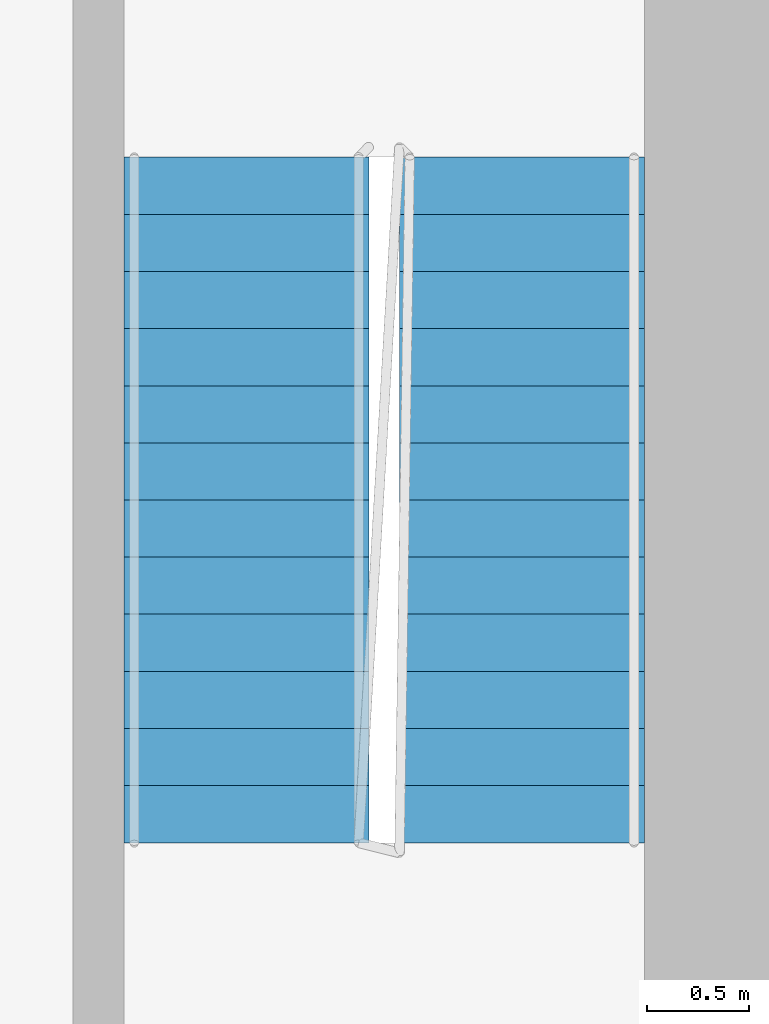
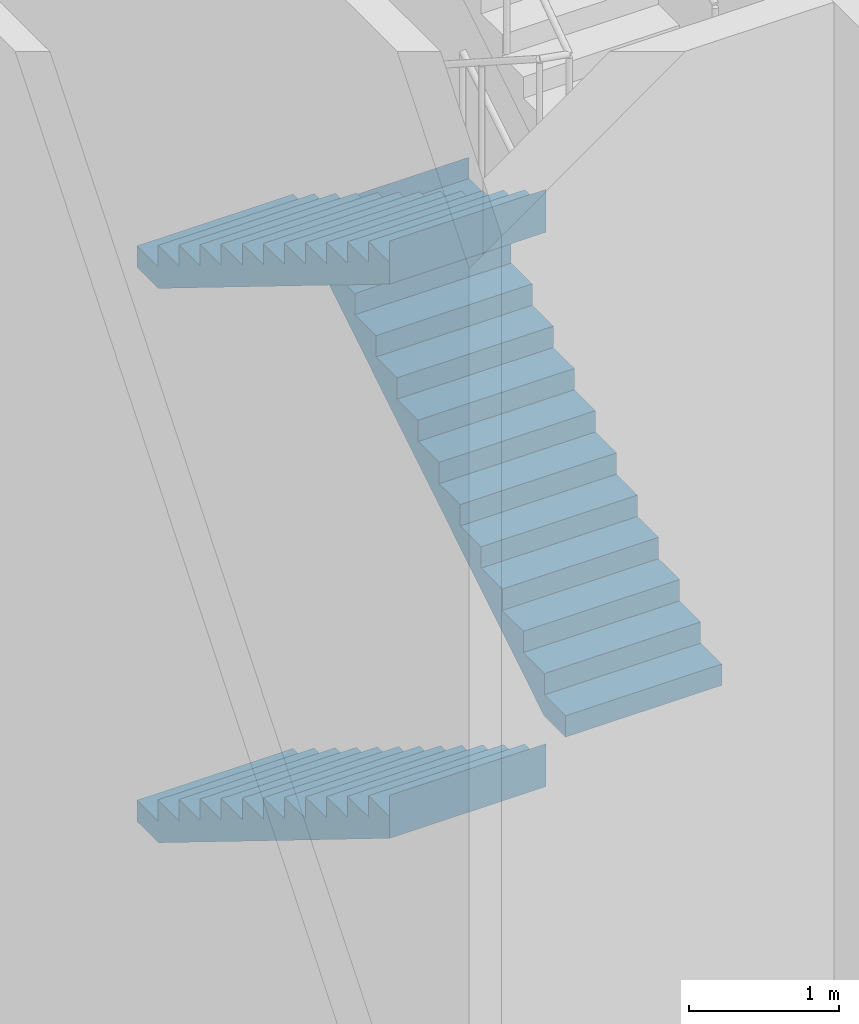
# One storey, part 12 of 24: 3 stair flights, 1 element without a shape of its own.
"""IFC4 building model written with IfcOpenShell, lengths in metres."""

from ifc_helpers import new_model, si_unit, direction, frame, origin, place, context, subcontext, project, spatial, faceted_brep, material, type_object, element, aggregate, save


model = new_model("IFC4")

# Units and contexts
model_context = context("Model", 3, precision=1e-05, world=origin(), true_north=direction((0.0, 1.0)))
body_context = subcontext(model_context, "Body", "Model", "MODEL_VIEW")
ifc_project = project(units=[si_unit("LENGTHUNIT", "METRE"), si_unit("AREAUNIT", "SQUARE_METRE"), si_unit("VOLUMEUNIT", "CUBIC_METRE"), si_unit("PLANEANGLEUNIT", "RADIAN"), si_unit("MASSUNIT", "GRAM", prefix="KILO")], contexts=[model_context])

# Site, building, storey
site_placement = place(None, origin())
site = spatial("IfcSite", under=ifc_project, at=site_placement, CompositionType="ELEMENT")
building_placement = place(site_placement, origin())
building = spatial("IfcBuilding", under=site, at=building_placement, Name="Kajstack Hotel Tower", CompositionType="ELEMENT")
storey_placement = place(building_placement, frame((0.0, 0.0, 38.0)))
storey = spatial("IfcBuildingStorey", under=building, at=storey_placement, Name="L06", CompositionType="ELEMENT", Elevation=38.0)

# Stair, stair flights
ifc_material = material(Name="Concrete C40/50", Category="concrete")
stair_type = type_object("IfcStairType", Name="Exit stair 1200", PredefinedType="HALF_TURN_STAIR", material=ifc_material)
stair_placement = place(storey_placement, origin())
stair = element("IfcStair", 1, at=stair_placement, inside=storey, type_object=stair_type, Name="L06 stair W1", PredefinedType="HALF_TURN_STAIR")
stair_flight_type = type_object("IfcStairFlightType", Name="Exit stair flight 1200", PredefinedType="STRAIGHT", material=ifc_material)
stair_flight_1_placement = place(storey_placement, frame((-33.449951171875, -5.25, 0.0), z_axis=(0.0, 0.0, 1.0), x_axis=(0.0, -1.0, 0.0)))
stair_flight_1 = element("IfcStairFlight", 2, at=stair_flight_1_placement, type_object=stair_flight_type, Name="W1 flight 1", NumberOfRisers=13, NumberOfTreads=12, PredefinedType="STRAIGHT", RiserHeight=0.173076923, TreadLength=0.28, context=body_context, shape_type="Brep", body=[
    faceted_brep([(0.28564453125, -0.60009765625, 0.0), (3.360595703125, -0.60009765625, 1.900634765625), (3.360595703125, -0.60009765625, 2.25), (3.360107421875, -0.60009765625, 2.25), (3.360107421875, -0.60009765625, 2.076904296875), (3.080078125, -0.60009765625, 2.076904296875), (3.080078125, -0.60009765625, 1.90380859375), (2.800048828125, -0.60009765625, 1.90380859375), (2.800048828125, -0.60009765625, 1.730712890625), (2.52001953125, -0.60009765625, 1.730712890625), (2.52001953125, -0.60009765625, 1.5576171875), (2.239990234375, -0.60009765625, 1.5576171875), (2.239990234375, -0.60009765625, 1.384521484375), (1.9599609375, -0.60009765625, 1.384521484375), (1.9599609375, -0.60009765625, 1.21142578125), (1.679931640625, -0.60009765625, 1.21142578125), (1.679931640625, -0.60009765625, 1.03857421875), (1.39990234375, -0.60009765625, 1.03857421875), (1.39990234375, -0.60009765625, 0.865478515625), (1.1201171875, -0.60009765625, 0.865478515625), (1.1201171875, -0.60009765625, 0.6923828125), (0.840087890625, -0.60009765625, 0.6923828125), (0.840087890625, -0.60009765625, 0.519287109375), (0.56005859375, -0.60009765625, 0.519287109375), (0.56005859375, -0.60009765625, 0.34619140625), (0.280029296875, -0.60009765625, 0.34619140625), (0.280029296875, -0.60009765625, 0.173095703125), (-0.00048828125, -0.60009765625, 0.173095703125), (-0.00048828125, -0.60009765625, 0.0), (-0.00048828125, 0.60009765625, 0.0), (-0.00048828125, 0.60009765625, 0.173095703125), (0.280029296875, 0.60009765625, 0.173095703125), (0.280029296875, 0.60009765625, 0.34619140625), (0.56005859375, 0.60009765625, 0.34619140625), (0.56005859375, 0.60009765625, 0.519287109375), (0.840087890625, 0.60009765625, 0.519287109375), (0.840087890625, 0.60009765625, 0.6923828125), (1.1201171875, 0.60009765625, 0.6923828125), (1.1201171875, 0.60009765625, 0.865478515625), (1.39990234375, 0.60009765625, 0.865478515625), (1.39990234375, 0.60009765625, 1.03857421875), (1.679931640625, 0.60009765625, 1.03857421875), (1.679931640625, 0.60009765625, 1.21142578125), (1.9599609375, 0.60009765625, 1.21142578125), (1.9599609375, 0.60009765625, 1.384521484375), (2.239990234375, 0.60009765625, 1.384521484375), (2.239990234375, 0.60009765625, 1.5576171875), (2.52001953125, 0.60009765625, 1.5576171875), (2.52001953125, 0.60009765625, 1.730712890625), (2.800048828125, 0.60009765625, 1.730712890625), (2.800048828125, 0.60009765625, 1.90380859375), (3.080078125, 0.60009765625, 1.90380859375), (3.080078125, 0.60009765625, 2.076904296875), (3.360107421875, 0.60009765625, 2.076904296875), (3.360107421875, 0.60009765625, 2.25), (3.360595703125, 0.60009765625, 2.25), (3.360595703125, 0.60009765625, 1.900634765625), (0.28564453125, 0.60009765625, 0.0), (-0.00048828125, -0.300048828125, 0.173095703125), (-0.00048828125, 0.0, 0.173095703125), (-0.00048828125, 0.300048828125, 0.173095703125), (-0.00048828125, 0.300048828125, 0.0), (-0.00048828125, 0.0, 0.0), (-0.00048828125, -0.300048828125, 0.0), (0.280029296875, -0.300048828125, 0.173095703125), (0.280029296875, 0.0, 0.173095703125), (0.280029296875, 0.300048828125, 0.173095703125), (0.280029296875, -0.300048828125, 0.34619140625), (0.280029296875, 0.0, 0.34619140625), (0.280029296875, 0.300048828125, 0.34619140625), (0.56005859375, -0.300048828125, 0.34619140625), (0.56005859375, 0.0, 0.34619140625), (0.56005859375, 0.300048828125, 0.34619140625), (0.56005859375, -0.300048828125, 0.519287109375), (0.56005859375, 0.0, 0.519287109375), (0.56005859375, 0.300048828125, 0.519287109375), (0.840087890625, -0.300048828125, 0.519287109375), (0.840087890625, 0.0, 0.519287109375), (0.840087890625, 0.300048828125, 0.519287109375), (0.840087890625, -0.300048828125, 0.6923828125), (0.840087890625, 0.0, 0.6923828125), (0.840087890625, 0.300048828125, 0.6923828125), (1.1201171875, -0.300048828125, 0.6923828125), (1.1201171875, 0.0, 0.6923828125), (1.1201171875, 0.300048828125, 0.6923828125), (1.1201171875, -0.300048828125, 0.865478515625), (1.1201171875, 0.0, 0.865478515625), (1.1201171875, 0.300048828125, 0.865478515625), (1.39990234375, -0.300048828125, 0.865478515625), (1.39990234375, 0.0, 0.865478515625), (1.39990234375, 0.300048828125, 0.865478515625), (1.39990234375, -0.300048828125, 1.03857421875), (1.39990234375, 0.0, 1.03857421875), (1.39990234375, 0.300048828125, 1.03857421875), (1.679931640625, -0.300048828125, 1.03857421875), (1.679931640625, 0.0, 1.03857421875), (1.679931640625, 0.300048828125, 1.03857421875), (1.679931640625, -0.300048828125, 1.21142578125), (1.679931640625, 0.0, 1.21142578125), (1.679931640625, 0.300048828125, 1.21142578125), (1.9599609375, -0.300048828125, 1.21142578125), (1.9599609375, 0.0, 1.21142578125), (1.9599609375, 0.300048828125, 1.21142578125), (1.9599609375, -0.300048828125, 1.384521484375), (1.9599609375, 0.0, 1.384521484375), (1.9599609375, 0.300048828125, 1.384521484375), (2.239990234375, -0.300048828125, 1.384521484375), (2.239990234375, 0.0, 1.384521484375), (2.239990234375, 0.300048828125, 1.384521484375), (2.239990234375, -0.300048828125, 1.5576171875), (2.239990234375, 0.0, 1.5576171875), (2.239990234375, 0.300048828125, 1.5576171875), (2.52001953125, -0.300048828125, 1.5576171875), (2.52001953125, 0.0, 1.5576171875), (2.52001953125, 0.300048828125, 1.5576171875), (2.52001953125, -0.300048828125, 1.730712890625), (2.52001953125, 0.0, 1.730712890625), (2.52001953125, 0.300048828125, 1.730712890625), (2.800048828125, -0.300048828125, 1.730712890625), (2.800048828125, 0.0, 1.730712890625), (2.800048828125, 0.300048828125, 1.730712890625), (2.800048828125, -0.300048828125, 1.90380859375), (2.800048828125, 0.0, 1.90380859375), (2.800048828125, 0.300048828125, 1.90380859375), (3.080078125, -0.300048828125, 1.90380859375), (3.080078125, 0.0, 1.90380859375), (3.080078125, 0.300048828125, 1.90380859375), (3.080078125, -0.300048828125, 2.076904296875), (3.080078125, 0.0, 2.076904296875), (3.080078125, 0.300048828125, 2.076904296875), (3.360107421875, -0.300048828125, 2.076904296875), (3.360107421875, 0.0, 2.076904296875), (3.360107421875, 0.300048828125, 2.076904296875), (3.360107421875, -0.300048828125, 2.25), (3.360107421875, 0.0, 2.25), (3.360107421875, 0.300048828125, 2.25), (3.360595703125, -0.300048828125, 2.25), (3.360595703125, 0.0, 2.25), (3.360595703125, 0.300048828125, 2.25), (3.360595703125, -0.300048828125, 1.900634765625), (3.360595703125, 0.0, 1.900634765625), (3.360595703125, 0.300048828125, 1.900634765625), (0.28564453125, -0.300048828125, 0.0), (0.28564453125, 0.0, 0.0), (0.28564453125, 0.300048828125, 0.0)], [[[0, 1, 2, 3, 4, 5, 6, 7, 8, 9, 10, 11, 12, 13, 14, 15, 16, 17, 18, 19, 20, 21, 22, 23, 24, 25, 26, 27, 28]], [[29, 30, 31, 32, 33, 34, 35, 36, 37, 38, 39, 40, 41, 42, 43, 44, 45, 46, 47, 48, 49, 50, 51, 52, 53, 54, 55, 56, 57]], [[27, 58, 59, 60, 30, 29, 61, 62, 63, 28]], [[26, 64, 65, 66, 31, 30, 60, 59, 58, 27]], [[25, 67, 68, 69, 32, 31, 66, 65, 64, 26]], [[24, 70, 71, 72, 33, 32, 69, 68, 67, 25]], [[23, 73, 74, 75, 34, 33, 72, 71, 70, 24]], [[22, 76, 77, 78, 35, 34, 75, 74, 73, 23]], [[21, 79, 80, 81, 36, 35, 78, 77, 76, 22]], [[20, 82, 83, 84, 37, 36, 81, 80, 79, 21]], [[19, 85, 86, 87, 38, 37, 84, 83, 82, 20]], [[18, 88, 89, 90, 39, 38, 87, 86, 85, 19]], [[17, 91, 92, 93, 40, 39, 90, 89, 88, 18]], [[16, 94, 95, 96, 41, 40, 93, 92, 91, 17]], [[15, 97, 98, 99, 42, 41, 96, 95, 94, 16]], [[14, 100, 101, 102, 43, 42, 99, 98, 97, 15]], [[13, 103, 104, 105, 44, 43, 102, 101, 100, 14]], [[12, 106, 107, 108, 45, 44, 105, 104, 103, 13]], [[11, 109, 110, 111, 46, 45, 108, 107, 106, 12]], [[10, 112, 113, 114, 47, 46, 111, 110, 109, 11]], [[9, 115, 116, 117, 48, 47, 114, 113, 112, 10]], [[8, 118, 119, 120, 49, 48, 117, 116, 115, 9]], [[7, 121, 122, 123, 50, 49, 120, 119, 118, 8]], [[6, 124, 125, 126, 51, 50, 123, 122, 121, 7]], [[5, 127, 128, 129, 52, 51, 126, 125, 124, 6]], [[4, 130, 131, 132, 53, 52, 129, 128, 127, 5]], [[3, 133, 134, 135, 54, 53, 132, 131, 130, 4]], [[2, 136, 137, 138, 55, 54, 135, 134, 133, 3]], [[1, 139, 140, 141, 56, 55, 138, 137, 136, 2]], [[0, 142, 143, 144, 57, 56, 141, 140, 139, 1]], [[28, 63, 62, 61, 29, 57, 144, 143, 142, 0]]]),
])
stair_flight_2_placement = place(storey_placement, frame((-32.10009765625, -8.610107421875, 2.25), z_axis=(0.0, 0.0, 1.0), x_axis=(0.0, 1.0, 0.0)))
stair_flight_2 = element("IfcStairFlight", 3, at=stair_flight_2_placement, type_object=stair_flight_type, Name="W1 flight 2", NumberOfRisers=13, NumberOfTreads=12, PredefinedType="STRAIGHT", RiserHeight=0.173076923, TreadLength=0.28, context=body_context, shape_type="Brep", body=[
    faceted_brep([(0.28564453125, -0.60009765625, 0.0), (3.360595703125, -0.60009765625, 1.900634765625), (3.360595703125, -0.60009765625, 2.25), (3.360107421875, -0.60009765625, 2.25), (3.360107421875, -0.60009765625, 2.076904296875), (3.080078125, -0.60009765625, 2.076904296875), (3.080078125, -0.60009765625, 1.90380859375), (2.800048828125, -0.60009765625, 1.90380859375), (2.800048828125, -0.60009765625, 1.730712890625), (2.52001953125, -0.60009765625, 1.730712890625), (2.52001953125, -0.60009765625, 1.5576171875), (2.239990234375, -0.60009765625, 1.5576171875), (2.239990234375, -0.60009765625, 1.384521484375), (1.9599609375, -0.60009765625, 1.384521484375), (1.9599609375, -0.60009765625, 1.21142578125), (1.679931640625, -0.60009765625, 1.21142578125), (1.679931640625, -0.60009765625, 1.03857421875), (1.39990234375, -0.60009765625, 1.03857421875), (1.39990234375, -0.60009765625, 0.865478515625), (1.1201171875, -0.60009765625, 0.865478515625), (1.1201171875, -0.60009765625, 0.6923828125), (0.840087890625, -0.60009765625, 0.6923828125), (0.840087890625, -0.60009765625, 0.519287109375), (0.56005859375, -0.60009765625, 0.519287109375), (0.56005859375, -0.60009765625, 0.34619140625), (0.280029296875, -0.60009765625, 0.34619140625), (0.280029296875, -0.60009765625, 0.173095703125), (-0.00048828125, -0.60009765625, 0.173095703125), (-0.00048828125, -0.60009765625, 0.0), (-0.00048828125, 0.60009765625, 0.0), (-0.00048828125, 0.60009765625, 0.173095703125), (0.280029296875, 0.60009765625, 0.173095703125), (0.280029296875, 0.60009765625, 0.34619140625), (0.56005859375, 0.60009765625, 0.34619140625), (0.56005859375, 0.60009765625, 0.519287109375), (0.840087890625, 0.60009765625, 0.519287109375), (0.840087890625, 0.60009765625, 0.6923828125), (1.1201171875, 0.60009765625, 0.6923828125), (1.1201171875, 0.60009765625, 0.865478515625), (1.39990234375, 0.60009765625, 0.865478515625), (1.39990234375, 0.60009765625, 1.03857421875), (1.679931640625, 0.60009765625, 1.03857421875), (1.679931640625, 0.60009765625, 1.21142578125), (1.9599609375, 0.60009765625, 1.21142578125), (1.9599609375, 0.60009765625, 1.384521484375), (2.239990234375, 0.60009765625, 1.384521484375), (2.239990234375, 0.60009765625, 1.5576171875), (2.52001953125, 0.60009765625, 1.5576171875), (2.52001953125, 0.60009765625, 1.730712890625), (2.800048828125, 0.60009765625, 1.730712890625), (2.800048828125, 0.60009765625, 1.90380859375), (3.080078125, 0.60009765625, 1.90380859375), (3.080078125, 0.60009765625, 2.076904296875), (3.360107421875, 0.60009765625, 2.076904296875), (3.360107421875, 0.60009765625, 2.25), (3.360595703125, 0.60009765625, 2.25), (3.360595703125, 0.60009765625, 1.900634765625), (0.28564453125, 0.60009765625, 0.0), (-0.00048828125, -0.300048828125, 0.173095703125), (-0.00048828125, 0.0, 0.173095703125), (-0.00048828125, 0.300048828125, 0.173095703125), (-0.00048828125, 0.300048828125, 0.0), (-0.00048828125, 0.0, 0.0), (-0.00048828125, -0.300048828125, 0.0), (0.280029296875, -0.300048828125, 0.173095703125), (0.280029296875, 0.0, 0.173095703125), (0.280029296875, 0.300048828125, 0.173095703125), (0.280029296875, -0.300048828125, 0.34619140625), (0.280029296875, 0.0, 0.34619140625), (0.280029296875, 0.300048828125, 0.34619140625), (0.56005859375, -0.300048828125, 0.34619140625), (0.56005859375, 0.0, 0.34619140625), (0.56005859375, 0.300048828125, 0.34619140625), (0.56005859375, -0.300048828125, 0.519287109375), (0.56005859375, 0.0, 0.519287109375), (0.56005859375, 0.300048828125, 0.519287109375), (0.840087890625, -0.300048828125, 0.519287109375), (0.840087890625, 0.0, 0.519287109375), (0.840087890625, 0.300048828125, 0.519287109375), (0.840087890625, -0.300048828125, 0.6923828125), (0.840087890625, 0.0, 0.6923828125), (0.840087890625, 0.300048828125, 0.6923828125), (1.1201171875, -0.300048828125, 0.6923828125), (1.1201171875, 0.0, 0.6923828125), (1.1201171875, 0.300048828125, 0.6923828125), (1.1201171875, -0.300048828125, 0.865478515625), (1.1201171875, 0.0, 0.865478515625), (1.1201171875, 0.300048828125, 0.865478515625), (1.39990234375, -0.300048828125, 0.865478515625), (1.39990234375, 0.0, 0.865478515625), (1.39990234375, 0.300048828125, 0.865478515625), (1.39990234375, -0.300048828125, 1.03857421875), (1.39990234375, 0.0, 1.03857421875), (1.39990234375, 0.300048828125, 1.03857421875), (1.679931640625, -0.300048828125, 1.03857421875), (1.679931640625, 0.0, 1.03857421875), (1.679931640625, 0.300048828125, 1.03857421875), (1.679931640625, -0.300048828125, 1.21142578125), (1.679931640625, 0.0, 1.21142578125), (1.679931640625, 0.300048828125, 1.21142578125), (1.9599609375, -0.300048828125, 1.21142578125), (1.9599609375, 0.0, 1.21142578125), (1.9599609375, 0.300048828125, 1.21142578125), (1.9599609375, -0.300048828125, 1.384521484375), (1.9599609375, 0.0, 1.384521484375), (1.9599609375, 0.300048828125, 1.384521484375), (2.239990234375, -0.300048828125, 1.384521484375), (2.239990234375, 0.0, 1.384521484375), (2.239990234375, 0.300048828125, 1.384521484375), (2.239990234375, -0.300048828125, 1.5576171875), (2.239990234375, 0.0, 1.5576171875), (2.239990234375, 0.300048828125, 1.5576171875), (2.52001953125, -0.300048828125, 1.5576171875), (2.52001953125, 0.0, 1.5576171875), (2.52001953125, 0.300048828125, 1.5576171875), (2.52001953125, -0.300048828125, 1.730712890625), (2.52001953125, 0.0, 1.730712890625), (2.52001953125, 0.300048828125, 1.730712890625), (2.800048828125, -0.300048828125, 1.730712890625), (2.800048828125, 0.0, 1.730712890625), (2.800048828125, 0.300048828125, 1.730712890625), (2.800048828125, -0.300048828125, 1.90380859375), (2.800048828125, 0.0, 1.90380859375), (2.800048828125, 0.300048828125, 1.90380859375), (3.080078125, -0.300048828125, 1.90380859375), (3.080078125, 0.0, 1.90380859375), (3.080078125, 0.300048828125, 1.90380859375), (3.080078125, -0.300048828125, 2.076904296875), (3.080078125, 0.0, 2.076904296875), (3.080078125, 0.300048828125, 2.076904296875), (3.360107421875, -0.300048828125, 2.076904296875), (3.360107421875, 0.0, 2.076904296875), (3.360107421875, 0.300048828125, 2.076904296875), (3.360107421875, -0.300048828125, 2.25), (3.360107421875, 0.0, 2.25), (3.360107421875, 0.300048828125, 2.25), (3.360595703125, -0.300048828125, 2.25), (3.360595703125, 0.0, 2.25), (3.360595703125, 0.300048828125, 2.25), (3.360595703125, -0.300048828125, 1.900634765625), (3.360595703125, 0.0, 1.900634765625), (3.360595703125, 0.300048828125, 1.900634765625), (0.28564453125, -0.300048828125, 0.0), (0.28564453125, 0.0, 0.0), (0.28564453125, 0.300048828125, 0.0)], [[[0, 1, 2, 3, 4, 5, 6, 7, 8, 9, 10, 11, 12, 13, 14, 15, 16, 17, 18, 19, 20, 21, 22, 23, 24, 25, 26, 27, 28]], [[29, 30, 31, 32, 33, 34, 35, 36, 37, 38, 39, 40, 41, 42, 43, 44, 45, 46, 47, 48, 49, 50, 51, 52, 53, 54, 55, 56, 57]], [[27, 58, 59, 60, 30, 29, 61, 62, 63, 28]], [[26, 64, 65, 66, 31, 30, 60, 59, 58, 27]], [[25, 67, 68, 69, 32, 31, 66, 65, 64, 26]], [[24, 70, 71, 72, 33, 32, 69, 68, 67, 25]], [[23, 73, 74, 75, 34, 33, 72, 71, 70, 24]], [[22, 76, 77, 78, 35, 34, 75, 74, 73, 23]], [[21, 79, 80, 81, 36, 35, 78, 77, 76, 22]], [[20, 82, 83, 84, 37, 36, 81, 80, 79, 21]], [[19, 85, 86, 87, 38, 37, 84, 83, 82, 20]], [[18, 88, 89, 90, 39, 38, 87, 86, 85, 19]], [[17, 91, 92, 93, 40, 39, 90, 89, 88, 18]], [[16, 94, 95, 96, 41, 40, 93, 92, 91, 17]], [[15, 97, 98, 99, 42, 41, 96, 95, 94, 16]], [[14, 100, 101, 102, 43, 42, 99, 98, 97, 15]], [[13, 103, 104, 105, 44, 43, 102, 101, 100, 14]], [[12, 106, 107, 108, 45, 44, 105, 104, 103, 13]], [[11, 109, 110, 111, 46, 45, 108, 107, 106, 12]], [[10, 112, 113, 114, 47, 46, 111, 110, 109, 11]], [[9, 115, 116, 117, 48, 47, 114, 113, 112, 10]], [[8, 118, 119, 120, 49, 48, 117, 116, 115, 9]], [[7, 121, 122, 123, 50, 49, 120, 119, 118, 8]], [[6, 124, 125, 126, 51, 50, 123, 122, 121, 7]], [[5, 127, 128, 129, 52, 51, 126, 125, 124, 6]], [[4, 130, 131, 132, 53, 52, 129, 128, 127, 5]], [[3, 133, 134, 135, 54, 53, 132, 131, 130, 4]], [[2, 136, 137, 138, 55, 54, 135, 134, 133, 3]], [[1, 139, 140, 141, 56, 55, 138, 137, 136, 2]], [[0, 142, 143, 144, 57, 56, 141, 140, 139, 1]], [[28, 63, 62, 61, 29, 57, 144, 143, 142, 0]]]),
])
stair_flight_3_placement = place(storey_placement, frame((-33.449951171875, -5.25, 4.5), z_axis=(0.0, 0.0, 1.0), x_axis=(0.0, -1.0, 0.0)))
stair_flight_3 = element("IfcStairFlight", 4, at=stair_flight_3_placement, type_object=stair_flight_type, Name="W1 flight 3", NumberOfRisers=13, NumberOfTreads=12, PredefinedType="STRAIGHT", RiserHeight=0.173076923, TreadLength=0.28, context=body_context, shape_type="Brep", body=[
    faceted_brep([(0.28564453125, -0.60009765625, 0.0), (3.360595703125, -0.60009765625, 1.900634765625), (3.360595703125, -0.60009765625, 2.25), (3.360107421875, -0.60009765625, 2.25), (3.360107421875, -0.60009765625, 2.076904296875), (3.080078125, -0.60009765625, 2.076904296875), (3.080078125, -0.60009765625, 1.90380859375), (2.800048828125, -0.60009765625, 1.90380859375), (2.800048828125, -0.60009765625, 1.730712890625), (2.52001953125, -0.60009765625, 1.730712890625), (2.52001953125, -0.60009765625, 1.5576171875), (2.239990234375, -0.60009765625, 1.5576171875), (2.239990234375, -0.60009765625, 1.384521484375), (1.9599609375, -0.60009765625, 1.384521484375), (1.9599609375, -0.60009765625, 1.21142578125), (1.679931640625, -0.60009765625, 1.21142578125), (1.679931640625, -0.60009765625, 1.03857421875), (1.39990234375, -0.60009765625, 1.03857421875), (1.39990234375, -0.60009765625, 0.865478515625), (1.1201171875, -0.60009765625, 0.865478515625), (1.1201171875, -0.60009765625, 0.6923828125), (0.840087890625, -0.60009765625, 0.6923828125), (0.840087890625, -0.60009765625, 0.519287109375), (0.56005859375, -0.60009765625, 0.519287109375), (0.56005859375, -0.60009765625, 0.34619140625), (0.280029296875, -0.60009765625, 0.34619140625), (0.280029296875, -0.60009765625, 0.173095703125), (-0.00048828125, -0.60009765625, 0.173095703125), (-0.00048828125, -0.60009765625, 0.0), (-0.00048828125, 0.60009765625, 0.0), (-0.00048828125, 0.60009765625, 0.173095703125), (0.280029296875, 0.60009765625, 0.173095703125), (0.280029296875, 0.60009765625, 0.34619140625), (0.56005859375, 0.60009765625, 0.34619140625), (0.56005859375, 0.60009765625, 0.519287109375), (0.840087890625, 0.60009765625, 0.519287109375), (0.840087890625, 0.60009765625, 0.6923828125), (1.1201171875, 0.60009765625, 0.6923828125), (1.1201171875, 0.60009765625, 0.865478515625), (1.39990234375, 0.60009765625, 0.865478515625), (1.39990234375, 0.60009765625, 1.03857421875), (1.679931640625, 0.60009765625, 1.03857421875), (1.679931640625, 0.60009765625, 1.21142578125), (1.9599609375, 0.60009765625, 1.21142578125), (1.9599609375, 0.60009765625, 1.384521484375), (2.239990234375, 0.60009765625, 1.384521484375), (2.239990234375, 0.60009765625, 1.5576171875), (2.52001953125, 0.60009765625, 1.5576171875), (2.52001953125, 0.60009765625, 1.730712890625), (2.800048828125, 0.60009765625, 1.730712890625), (2.800048828125, 0.60009765625, 1.90380859375), (3.080078125, 0.60009765625, 1.90380859375), (3.080078125, 0.60009765625, 2.076904296875), (3.360107421875, 0.60009765625, 2.076904296875), (3.360107421875, 0.60009765625, 2.25), (3.360595703125, 0.60009765625, 2.25), (3.360595703125, 0.60009765625, 1.900634765625), (0.28564453125, 0.60009765625, 0.0), (-0.00048828125, -0.300048828125, 0.173095703125), (-0.00048828125, 0.0, 0.173095703125), (-0.00048828125, 0.300048828125, 0.173095703125), (-0.00048828125, 0.300048828125, 0.0), (-0.00048828125, 0.0, 0.0), (-0.00048828125, -0.300048828125, 0.0), (0.280029296875, -0.300048828125, 0.173095703125), (0.280029296875, 0.0, 0.173095703125), (0.280029296875, 0.300048828125, 0.173095703125), (0.280029296875, -0.300048828125, 0.34619140625), (0.280029296875, 0.0, 0.34619140625), (0.280029296875, 0.300048828125, 0.34619140625), (0.56005859375, -0.300048828125, 0.34619140625), (0.56005859375, 0.0, 0.34619140625), (0.56005859375, 0.300048828125, 0.34619140625), (0.56005859375, -0.300048828125, 0.519287109375), (0.56005859375, 0.0, 0.519287109375), (0.56005859375, 0.300048828125, 0.519287109375), (0.840087890625, -0.300048828125, 0.519287109375), (0.840087890625, 0.0, 0.519287109375), (0.840087890625, 0.300048828125, 0.519287109375), (0.840087890625, -0.300048828125, 0.6923828125), (0.840087890625, 0.0, 0.6923828125), (0.840087890625, 0.300048828125, 0.6923828125), (1.1201171875, -0.300048828125, 0.6923828125), (1.1201171875, 0.0, 0.6923828125), (1.1201171875, 0.300048828125, 0.6923828125), (1.1201171875, -0.300048828125, 0.865478515625), (1.1201171875, 0.0, 0.865478515625), (1.1201171875, 0.300048828125, 0.865478515625), (1.39990234375, -0.300048828125, 0.865478515625), (1.39990234375, 0.0, 0.865478515625), (1.39990234375, 0.300048828125, 0.865478515625), (1.39990234375, -0.300048828125, 1.03857421875), (1.39990234375, 0.0, 1.03857421875), (1.39990234375, 0.300048828125, 1.03857421875), (1.679931640625, -0.300048828125, 1.03857421875), (1.679931640625, 0.0, 1.03857421875), (1.679931640625, 0.300048828125, 1.03857421875), (1.679931640625, -0.300048828125, 1.21142578125), (1.679931640625, 0.0, 1.21142578125), (1.679931640625, 0.300048828125, 1.21142578125), (1.9599609375, -0.300048828125, 1.21142578125), (1.9599609375, 0.0, 1.21142578125), (1.9599609375, 0.300048828125, 1.21142578125), (1.9599609375, -0.300048828125, 1.384521484375), (1.9599609375, 0.0, 1.384521484375), (1.9599609375, 0.300048828125, 1.384521484375), (2.239990234375, -0.300048828125, 1.384521484375), (2.239990234375, 0.0, 1.384521484375), (2.239990234375, 0.300048828125, 1.384521484375), (2.239990234375, -0.300048828125, 1.5576171875), (2.239990234375, 0.0, 1.5576171875), (2.239990234375, 0.300048828125, 1.5576171875), (2.52001953125, -0.300048828125, 1.5576171875), (2.52001953125, 0.0, 1.5576171875), (2.52001953125, 0.300048828125, 1.5576171875), (2.52001953125, -0.300048828125, 1.730712890625), (2.52001953125, 0.0, 1.730712890625), (2.52001953125, 0.300048828125, 1.730712890625), (2.800048828125, -0.300048828125, 1.730712890625), (2.800048828125, 0.0, 1.730712890625), (2.800048828125, 0.300048828125, 1.730712890625), (2.800048828125, -0.300048828125, 1.90380859375), (2.800048828125, 0.0, 1.90380859375), (2.800048828125, 0.300048828125, 1.90380859375), (3.080078125, -0.300048828125, 1.90380859375), (3.080078125, 0.0, 1.90380859375), (3.080078125, 0.300048828125, 1.90380859375), (3.080078125, -0.300048828125, 2.076904296875), (3.080078125, 0.0, 2.076904296875), (3.080078125, 0.300048828125, 2.076904296875), (3.360107421875, -0.300048828125, 2.076904296875), (3.360107421875, 0.0, 2.076904296875), (3.360107421875, 0.300048828125, 2.076904296875), (3.360107421875, -0.300048828125, 2.25), (3.360107421875, 0.0, 2.25), (3.360107421875, 0.300048828125, 2.25), (3.360595703125, -0.300048828125, 2.25), (3.360595703125, 0.0, 2.25), (3.360595703125, 0.300048828125, 2.25), (3.360595703125, -0.300048828125, 1.900634765625), (3.360595703125, 0.0, 1.900634765625), (3.360595703125, 0.300048828125, 1.900634765625), (0.28564453125, -0.300048828125, 0.0), (0.28564453125, 0.0, 0.0), (0.28564453125, 0.300048828125, 0.0)], [[[0, 1, 2, 3, 4, 5, 6, 7, 8, 9, 10, 11, 12, 13, 14, 15, 16, 17, 18, 19, 20, 21, 22, 23, 24, 25, 26, 27, 28]], [[29, 30, 31, 32, 33, 34, 35, 36, 37, 38, 39, 40, 41, 42, 43, 44, 45, 46, 47, 48, 49, 50, 51, 52, 53, 54, 55, 56, 57]], [[27, 58, 59, 60, 30, 29, 61, 62, 63, 28]], [[26, 64, 65, 66, 31, 30, 60, 59, 58, 27]], [[25, 67, 68, 69, 32, 31, 66, 65, 64, 26]], [[24, 70, 71, 72, 33, 32, 69, 68, 67, 25]], [[23, 73, 74, 75, 34, 33, 72, 71, 70, 24]], [[22, 76, 77, 78, 35, 34, 75, 74, 73, 23]], [[21, 79, 80, 81, 36, 35, 78, 77, 76, 22]], [[20, 82, 83, 84, 37, 36, 81, 80, 79, 21]], [[19, 85, 86, 87, 38, 37, 84, 83, 82, 20]], [[18, 88, 89, 90, 39, 38, 87, 86, 85, 19]], [[17, 91, 92, 93, 40, 39, 90, 89, 88, 18]], [[16, 94, 95, 96, 41, 40, 93, 92, 91, 17]], [[15, 97, 98, 99, 42, 41, 96, 95, 94, 16]], [[14, 100, 101, 102, 43, 42, 99, 98, 97, 15]], [[13, 103, 104, 105, 44, 43, 102, 101, 100, 14]], [[12, 106, 107, 108, 45, 44, 105, 104, 103, 13]], [[11, 109, 110, 111, 46, 45, 108, 107, 106, 12]], [[10, 112, 113, 114, 47, 46, 111, 110, 109, 11]], [[9, 115, 116, 117, 48, 47, 114, 113, 112, 10]], [[8, 118, 119, 120, 49, 48, 117, 116, 115, 9]], [[7, 121, 122, 123, 50, 49, 120, 119, 118, 8]], [[6, 124, 125, 126, 51, 50, 123, 122, 121, 7]], [[5, 127, 128, 129, 52, 51, 126, 125, 124, 6]], [[4, 130, 131, 132, 53, 52, 129, 128, 127, 5]], [[3, 133, 134, 135, 54, 53, 132, 131, 130, 4]], [[2, 136, 137, 138, 55, 54, 135, 134, 133, 3]], [[1, 139, 140, 141, 56, 55, 138, 137, 136, 2]], [[0, 142, 143, 144, 57, 56, 141, 140, 139, 1]], [[28, 63, 62, 61, 29, 57, 144, 143, 142, 0]]]),
])
aggregate(stair, [stair_flight_1, stair_flight_2, stair_flight_3])

save(model, "model.ifc")
